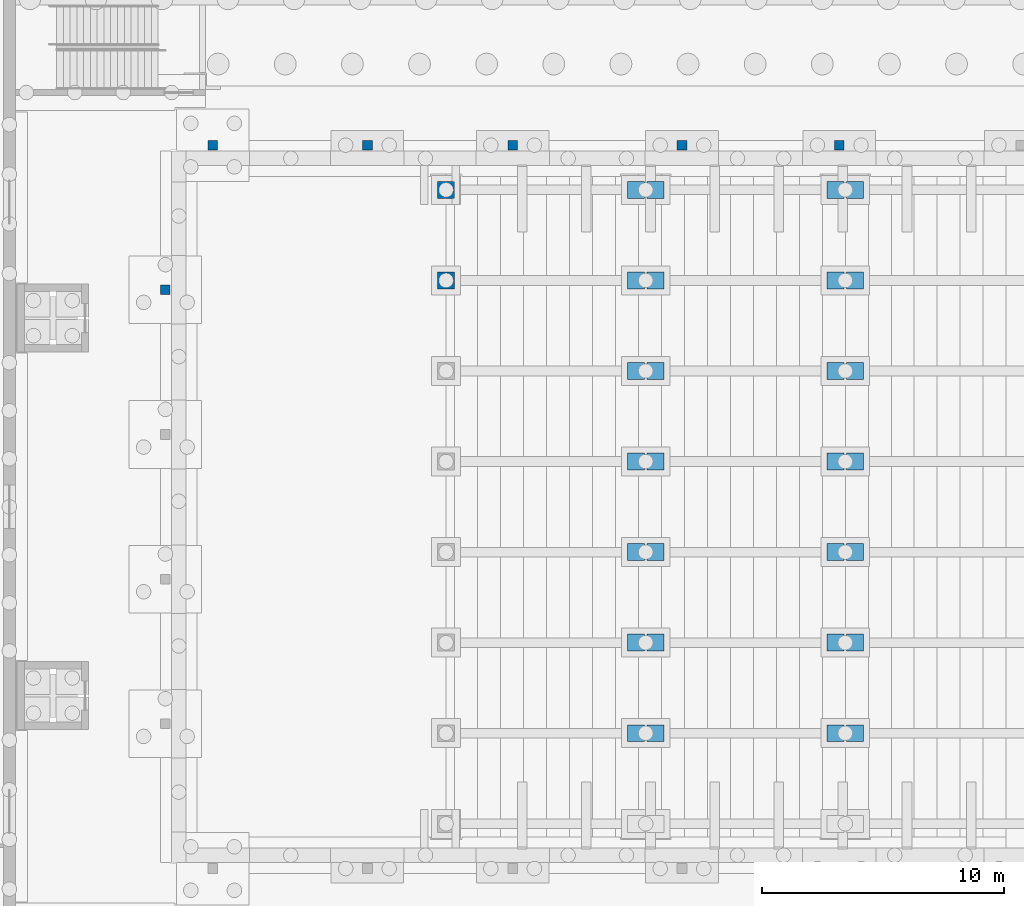
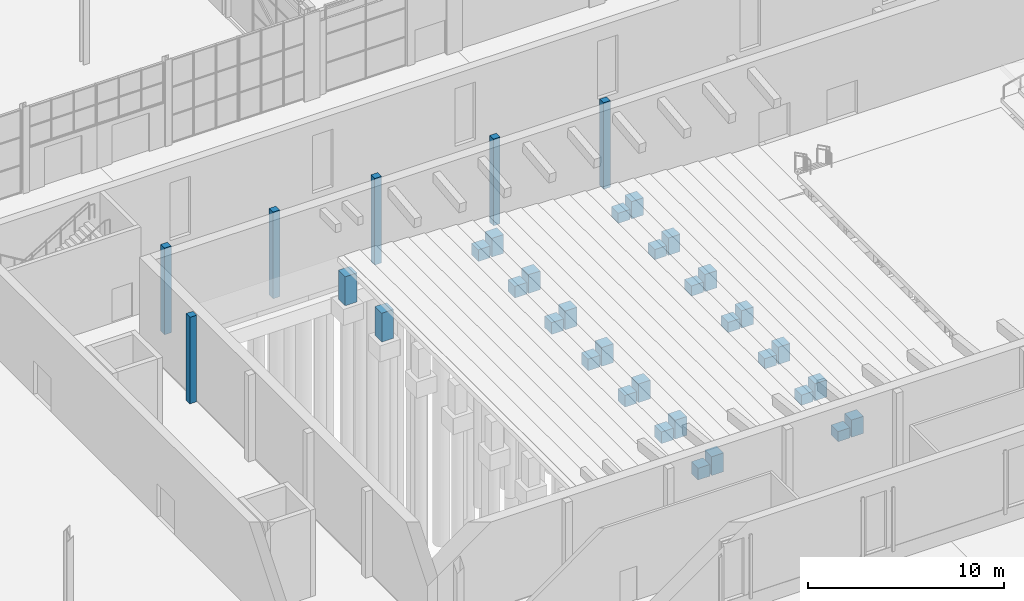
# One storey, part 24 of 127: 36 columns.
"""IFC4 building model written with IfcOpenShell, lengths in metres."""

from ifc_helpers import new_model, si_unit, direction, frame, origin, origin_2d, place, context, subcontext, project, spatial, rectangle, extrude, material, material_profile, profile_set, type_object, element, save


model = new_model("IFC4")

# Units and contexts
model_context = context("Model", 3, precision=1e-05, world=origin(), true_north=direction((0.0, 1.0)))
body_context = subcontext(model_context, "Body", "Model", "MODEL_VIEW")
ifc_project = project(units=[si_unit("LENGTHUNIT", "METRE"), si_unit("AREAUNIT", "SQUARE_METRE"), si_unit("VOLUMEUNIT", "CUBIC_METRE"), si_unit("PLANEANGLEUNIT", "RADIAN"), si_unit("MASSUNIT", "GRAM", prefix="KILO")], contexts=[model_context])

# Site, building, storey
site_placement = place(None, origin())
site = spatial("IfcSite", under=ifc_project, at=site_placement, CompositionType="ELEMENT")
building_placement = place(site_placement, origin())
building = spatial("IfcBuilding", under=site, at=building_placement, Name="Ljudholm Concert House", CompositionType="ELEMENT")
storey_placement = place(building_placement, origin())
storey = spatial("IfcBuildingStorey", under=building, at=storey_placement, Name="L00", CompositionType="ELEMENT", Elevation=0.0)

# Columns
ifc_material_1 = material(Name="Concrete 6,500 psi", Category="concrete")
ifc_material_profile_1 = material_profile(ifc_material_1, rectangle(XDim=0.39990234375, YDim=0.39990234375, at=origin_2d()), Name="RC COLUMN 400x400")
ifc_profile_set_1 = profile_set([ifc_material_profile_1], Name="Concrete 6,500 psi")
column_type_1 = type_object("IfcColumnType", Name="RC COLUMN 400x400", PredefinedType="COLUMN", material=ifc_profile_set_1)
for number, where, z_axis, x_axis, name in (
    (1, (37.60009765625, 90.35009765625, 0.0), (0.0, 0.0, 1.0), (1.0, 0.0, 0.0), "Ring column"),
    (2, (44.0, 90.35009765625, 0.0), (0.0, 0.0, 1.0), (1.0, 0.0, 0.0), "Ring column"),
    (3, (50.0, 90.35009765625, 0.0), (0.0, 0.0, 1.0), (1.0, 0.0, 0.0), "Ring column"),
    (4, (57.0, 90.35009765625, 0.0), (0.0, 0.0, 1.0), (1.0, 0.0, 0.0), "Ring column"),
    (5, (63.5, 90.35009765625, 0.0), (0.0, 0.0, 1.0), (1.0, 0.0, 0.0), "Ring column"),
    (6, (35.64990234375, 84.3701171875, 0.0), (0.0, 0.0, 1.0), (1.0, 0.0, 0.0), "Ring column"),
):
    element("IfcColumn", number, at=place(storey_placement, frame(where, z_axis=z_axis, x_axis=x_axis)), inside=storey, type_object=column_type_1, Name=name, PredefinedType="COLUMN", context=body_context, shape_type="SweptSolid", body=[
        extrude(rectangle(XDim=0.39990234375, YDim=0.39990234375, at=origin_2d()), origin(), (0.0, 0.0, 1.0), 5.39990234375),
    ])
ifc_material_2 = material(Name="Concrete 6,500 psi", Category="concrete")
ifc_material_profile_2 = material_profile(ifc_material_2, rectangle(XDim=0.699951171875, YDim=0.699951171875, at=origin_2d()), Name="RC COLUMN 700x700")
ifc_profile_set_2 = profile_set([ifc_material_profile_2], Name="Concrete 6,500 psi")
column_type_2 = type_object("IfcColumnType", Name="RC COLUMN 700x700", PredefinedType="COLUMN", material=ifc_profile_set_2)
column_1_placement = place(storey_placement, frame((55.10009765625, 66.04296875, -0.300048828125), z_axis=(0.0, 0.0, 1.0), x_axis=(1.0, 0.0, 0.0)))
element("IfcColumn", 7, at=column_1_placement, inside=storey, type_object=column_type_2, Name="Column pedestal", PredefinedType="COLUMN", context=body_context, shape_type="SweptSolid", body=[
    extrude(rectangle(XDim=0.699951171875, YDim=0.699951171875, at=origin_2d()), origin(), (0.0, 0.0, 1.0), 0.729248046875),
])
column_2_placement = place(storey_placement, frame((55.89990234375, 66.04296875, -0.300048828125), z_axis=(0.0, 0.0, 1.0), x_axis=(1.0, 0.0, 0.0)))
element("IfcColumn", 8, at=column_2_placement, inside=storey, type_object=column_type_2, Name="Column pedestal", PredefinedType="COLUMN", context=body_context, shape_type="SweptSolid", body=[
    extrude(rectangle(XDim=0.699951171875, YDim=0.699951171875, at=origin_2d()), origin(), (0.0, 0.0, 1.0), 1.1708984375),
])
column_3_placement = place(storey_placement, frame((63.35009765625, 66.04296875, -0.804931640625), z_axis=(0.0, 0.0, 1.0), x_axis=(1.0, 0.0, 0.0)))
element("IfcColumn", 9, at=column_3_placement, inside=storey, type_object=column_type_2, Name="Column pedestal", PredefinedType="COLUMN", context=body_context, shape_type="SweptSolid", body=[
    extrude(rectangle(XDim=0.699951171875, YDim=0.699951171875, at=origin_2d()), origin(), (0.0, 0.0, 1.0), 0.634033203125),
])
column_4_placement = place(storey_placement, frame((64.14990234375, 66.04296875, -0.804931640625), z_axis=(0.0, 0.0, 1.0), x_axis=(1.0, 0.0, 0.0)))
element("IfcColumn", 10, at=column_4_placement, inside=storey, type_object=column_type_2, Name="Column pedestal", PredefinedType="COLUMN", context=body_context, shape_type="SweptSolid", body=[
    extrude(rectangle(XDim=0.699951171875, YDim=0.699951171875, at=origin_2d()), origin(), (0.0, 0.0, 1.0), 1.075927734375),
])
column_5_placement = place(storey_placement, frame((55.10009765625, 69.78564453125, -0.300048828125), z_axis=(0.0, 0.0, 1.0), x_axis=(1.0, 0.0, 0.0)))
element("IfcColumn", 11, at=column_5_placement, inside=storey, type_object=column_type_2, Name="Column pedestal", PredefinedType="COLUMN", context=body_context, shape_type="SweptSolid", body=[
    extrude(rectangle(XDim=0.699951171875, YDim=0.699951171875, at=origin_2d()), origin(), (0.0, 0.0, 1.0), 0.729248046875),
])
column_6_placement = place(storey_placement, frame((55.89990234375, 69.78564453125, -0.300048828125), z_axis=(0.0, 0.0, 1.0), x_axis=(1.0, 0.0, 0.0)))
element("IfcColumn", 12, at=column_6_placement, inside=storey, type_object=column_type_2, Name="Column pedestal", PredefinedType="COLUMN", context=body_context, shape_type="SweptSolid", body=[
    extrude(rectangle(XDim=0.699951171875, YDim=0.699951171875, at=origin_2d()), origin(), (0.0, 0.0, 1.0), 1.1708984375),
])
column_7_placement = place(storey_placement, frame((63.35009765625, 69.78564453125, -0.804931640625), z_axis=(0.0, 0.0, 1.0), x_axis=(1.0, 0.0, 0.0)))
element("IfcColumn", 13, at=column_7_placement, inside=storey, type_object=column_type_2, Name="Column pedestal", PredefinedType="COLUMN", context=body_context, shape_type="SweptSolid", body=[
    extrude(rectangle(XDim=0.699951171875, YDim=0.699951171875, at=origin_2d()), origin(), (0.0, 0.0, 1.0), 0.634033203125),
])
column_8_placement = place(storey_placement, frame((64.14990234375, 69.78564453125, -0.804931640625), z_axis=(0.0, 0.0, 1.0), x_axis=(1.0, 0.0, 0.0)))
element("IfcColumn", 14, at=column_8_placement, inside=storey, type_object=column_type_2, Name="Column pedestal", PredefinedType="COLUMN", context=body_context, shape_type="SweptSolid", body=[
    extrude(rectangle(XDim=0.699951171875, YDim=0.699951171875, at=origin_2d()), origin(), (0.0, 0.0, 1.0), 1.075927734375),
])
column_9_placement = place(storey_placement, frame((55.10009765625, 73.528564453125, -0.300048828125), z_axis=(0.0, 0.0, 1.0), x_axis=(1.0, 0.0, 0.0)))
element("IfcColumn", 15, at=column_9_placement, inside=storey, type_object=column_type_2, Name="Column pedestal", PredefinedType="COLUMN", context=body_context, shape_type="SweptSolid", body=[
    extrude(rectangle(XDim=0.699951171875, YDim=0.699951171875, at=origin_2d()), origin(), (0.0, 0.0, 1.0), 0.729248046875),
])
column_10_placement = place(storey_placement, frame((55.89990234375, 73.528564453125, -0.300048828125), z_axis=(0.0, 0.0, 1.0), x_axis=(1.0, 0.0, 0.0)))
element("IfcColumn", 16, at=column_10_placement, inside=storey, type_object=column_type_2, Name="Column pedestal", PredefinedType="COLUMN", context=body_context, shape_type="SweptSolid", body=[
    extrude(rectangle(XDim=0.699951171875, YDim=0.699951171875, at=origin_2d()), origin(), (0.0, 0.0, 1.0), 1.1708984375),
])
column_11_placement = place(storey_placement, frame((63.35009765625, 73.528564453125, -0.804931640625), z_axis=(0.0, 0.0, 1.0), x_axis=(1.0, 0.0, 0.0)))
element("IfcColumn", 17, at=column_11_placement, inside=storey, type_object=column_type_2, Name="Column pedestal", PredefinedType="COLUMN", context=body_context, shape_type="SweptSolid", body=[
    extrude(rectangle(XDim=0.699951171875, YDim=0.699951171875, at=origin_2d()), origin(), (0.0, 0.0, 1.0), 0.634033203125),
])
column_12_placement = place(storey_placement, frame((64.14990234375, 73.528564453125, -0.804931640625), z_axis=(0.0, 0.0, 1.0), x_axis=(1.0, 0.0, 0.0)))
element("IfcColumn", 18, at=column_12_placement, inside=storey, type_object=column_type_2, Name="Column pedestal", PredefinedType="COLUMN", context=body_context, shape_type="SweptSolid", body=[
    extrude(rectangle(XDim=0.699951171875, YDim=0.699951171875, at=origin_2d()), origin(), (0.0, 0.0, 1.0), 1.075927734375),
])
column_13_placement = place(storey_placement, frame((55.10009765625, 77.271484375, -0.300048828125), z_axis=(0.0, 0.0, 1.0), x_axis=(1.0, 0.0, 0.0)))
element("IfcColumn", 19, at=column_13_placement, inside=storey, type_object=column_type_2, Name="Column pedestal", PredefinedType="COLUMN", context=body_context, shape_type="SweptSolid", body=[
    extrude(rectangle(XDim=0.699951171875, YDim=0.699951171875, at=origin_2d()), origin(), (0.0, 0.0, 1.0), 0.729248046875),
])
column_14_placement = place(storey_placement, frame((55.89990234375, 77.271484375, -0.300048828125), z_axis=(0.0, 0.0, 1.0), x_axis=(1.0, 0.0, 0.0)))
element("IfcColumn", 20, at=column_14_placement, inside=storey, type_object=column_type_2, Name="Column pedestal", PredefinedType="COLUMN", context=body_context, shape_type="SweptSolid", body=[
    extrude(rectangle(XDim=0.699951171875, YDim=0.699951171875, at=origin_2d()), origin(), (0.0, 0.0, 1.0), 1.1708984375),
])
column_15_placement = place(storey_placement, frame((63.35009765625, 77.271484375, -0.804931640625), z_axis=(0.0, 0.0, 1.0), x_axis=(1.0, 0.0, 0.0)))
element("IfcColumn", 21, at=column_15_placement, inside=storey, type_object=column_type_2, Name="Column pedestal", PredefinedType="COLUMN", context=body_context, shape_type="SweptSolid", body=[
    extrude(rectangle(XDim=0.699951171875, YDim=0.699951171875, at=origin_2d()), origin(), (0.0, 0.0, 1.0), 0.634033203125),
])
column_16_placement = place(storey_placement, frame((64.14990234375, 77.271484375, -0.804931640625), z_axis=(0.0, 0.0, 1.0), x_axis=(1.0, 0.0, 0.0)))
element("IfcColumn", 22, at=column_16_placement, inside=storey, type_object=column_type_2, Name="Column pedestal", PredefinedType="COLUMN", context=body_context, shape_type="SweptSolid", body=[
    extrude(rectangle(XDim=0.699951171875, YDim=0.699951171875, at=origin_2d()), origin(), (0.0, 0.0, 1.0), 1.075927734375),
])
column_17_placement = place(storey_placement, frame((55.10009765625, 81.014404296875, -0.300048828125), z_axis=(0.0, 0.0, 1.0), x_axis=(1.0, 0.0, 0.0)))
element("IfcColumn", 23, at=column_17_placement, inside=storey, type_object=column_type_2, Name="Column pedestal", PredefinedType="COLUMN", context=body_context, shape_type="SweptSolid", body=[
    extrude(rectangle(XDim=0.699951171875, YDim=0.699951171875, at=origin_2d()), origin(), (0.0, 0.0, 1.0), 0.729248046875),
])
column_18_placement = place(storey_placement, frame((55.89990234375, 81.014404296875, -0.300048828125), z_axis=(0.0, 0.0, 1.0), x_axis=(1.0, 0.0, 0.0)))
element("IfcColumn", 24, at=column_18_placement, inside=storey, type_object=column_type_2, Name="Column pedestal", PredefinedType="COLUMN", context=body_context, shape_type="SweptSolid", body=[
    extrude(rectangle(XDim=0.699951171875, YDim=0.699951171875, at=origin_2d()), origin(), (0.0, 0.0, 1.0), 1.1708984375),
])
column_19_placement = place(storey_placement, frame((63.35009765625, 81.014404296875, -0.804931640625), z_axis=(0.0, 0.0, 1.0), x_axis=(1.0, 0.0, 0.0)))
element("IfcColumn", 25, at=column_19_placement, inside=storey, type_object=column_type_2, Name="Column pedestal", PredefinedType="COLUMN", context=body_context, shape_type="SweptSolid", body=[
    extrude(rectangle(XDim=0.699951171875, YDim=0.699951171875, at=origin_2d()), origin(), (0.0, 0.0, 1.0), 0.634033203125),
])
column_20_placement = place(storey_placement, frame((64.14990234375, 81.014404296875, -0.804931640625), z_axis=(0.0, 0.0, 1.0), x_axis=(1.0, 0.0, 0.0)))
element("IfcColumn", 26, at=column_20_placement, inside=storey, type_object=column_type_2, Name="Column pedestal", PredefinedType="COLUMN", context=body_context, shape_type="SweptSolid", body=[
    extrude(rectangle(XDim=0.699951171875, YDim=0.699951171875, at=origin_2d()), origin(), (0.0, 0.0, 1.0), 1.075927734375),
])
column_21_placement = place(storey_placement, frame((47.25, 84.757080078125, -0.300048828125), z_axis=(0.0, 0.0, 1.0), x_axis=(1.0, 0.0, 0.0)))
element("IfcColumn", 27, at=column_21_placement, inside=storey, type_object=column_type_2, Name="Column pedestal", PredefinedType="COLUMN", context=body_context, shape_type="SweptSolid", body=[
    extrude(rectangle(XDim=0.699951171875, YDim=0.699951171875, at=origin_2d()), origin(), (0.0, 0.0, 1.0), 1.800048828125),
])
column_22_placement = place(storey_placement, frame((55.10009765625, 84.757080078125, -0.300048828125), z_axis=(0.0, 0.0, 1.0), x_axis=(1.0, 0.0, 0.0)))
element("IfcColumn", 28, at=column_22_placement, inside=storey, type_object=column_type_2, Name="Column pedestal", PredefinedType="COLUMN", context=body_context, shape_type="SweptSolid", body=[
    extrude(rectangle(XDim=0.699951171875, YDim=0.699951171875, at=origin_2d()), origin(), (0.0, 0.0, 1.0), 0.729248046875),
])
column_23_placement = place(storey_placement, frame((55.89990234375, 84.757080078125, -0.300048828125), z_axis=(0.0, 0.0, 1.0), x_axis=(1.0, 0.0, 0.0)))
element("IfcColumn", 29, at=column_23_placement, inside=storey, type_object=column_type_2, Name="Column pedestal", PredefinedType="COLUMN", context=body_context, shape_type="SweptSolid", body=[
    extrude(rectangle(XDim=0.699951171875, YDim=0.699951171875, at=origin_2d()), origin(), (0.0, 0.0, 1.0), 1.1708984375),
])
column_24_placement = place(storey_placement, frame((63.35009765625, 84.757080078125, -0.804931640625), z_axis=(0.0, 0.0, 1.0), x_axis=(1.0, 0.0, 0.0)))
element("IfcColumn", 30, at=column_24_placement, inside=storey, type_object=column_type_2, Name="Column pedestal", PredefinedType="COLUMN", context=body_context, shape_type="SweptSolid", body=[
    extrude(rectangle(XDim=0.699951171875, YDim=0.699951171875, at=origin_2d()), origin(), (0.0, 0.0, 1.0), 0.634033203125),
])
column_25_placement = place(storey_placement, frame((64.14990234375, 84.757080078125, -0.804931640625), z_axis=(0.0, 0.0, 1.0), x_axis=(1.0, 0.0, 0.0)))
element("IfcColumn", 31, at=column_25_placement, inside=storey, type_object=column_type_2, Name="Column pedestal", PredefinedType="COLUMN", context=body_context, shape_type="SweptSolid", body=[
    extrude(rectangle(XDim=0.699951171875, YDim=0.699951171875, at=origin_2d()), origin(), (0.0, 0.0, 1.0), 1.075927734375),
])
column_26_placement = place(storey_placement, frame((47.25, 88.5, -0.300048828125), z_axis=(0.0, 0.0, 1.0), x_axis=(1.0, 0.0, 0.0)))
element("IfcColumn", 32, at=column_26_placement, inside=storey, type_object=column_type_2, Name="Column pedestal", PredefinedType="COLUMN", context=body_context, shape_type="SweptSolid", body=[
    extrude(rectangle(XDim=0.699951171875, YDim=0.699951171875, at=origin_2d()), origin(), (0.0, 0.0, 1.0), 1.800048828125),
])
column_27_placement = place(storey_placement, frame((55.10009765625, 88.5, -0.300048828125), z_axis=(0.0, 0.0, 1.0), x_axis=(1.0, 0.0, 0.0)))
element("IfcColumn", 33, at=column_27_placement, inside=storey, type_object=column_type_2, Name="Column pedestal", PredefinedType="COLUMN", context=body_context, shape_type="SweptSolid", body=[
    extrude(rectangle(XDim=0.699951171875, YDim=0.699951171875, at=origin_2d()), origin(), (0.0, 0.0, 1.0), 0.729248046875),
])
column_28_placement = place(storey_placement, frame((55.89990234375, 88.5, -0.300048828125), z_axis=(0.0, 0.0, 1.0), x_axis=(1.0, 0.0, 0.0)))
element("IfcColumn", 34, at=column_28_placement, inside=storey, type_object=column_type_2, Name="Column pedestal", PredefinedType="COLUMN", context=body_context, shape_type="SweptSolid", body=[
    extrude(rectangle(XDim=0.699951171875, YDim=0.699951171875, at=origin_2d()), origin(), (0.0, 0.0, 1.0), 1.1708984375),
])
column_29_placement = place(storey_placement, frame((63.35009765625, 88.5, -0.804931640625), z_axis=(0.0, 0.0, 1.0), x_axis=(1.0, 0.0, 0.0)))
element("IfcColumn", 35, at=column_29_placement, inside=storey, type_object=column_type_2, Name="Column pedestal", PredefinedType="COLUMN", context=body_context, shape_type="SweptSolid", body=[
    extrude(rectangle(XDim=0.699951171875, YDim=0.699951171875, at=origin_2d()), origin(), (0.0, 0.0, 1.0), 0.634033203125),
])
column_30_placement = place(storey_placement, frame((64.14990234375, 88.5, -0.804931640625), z_axis=(0.0, 0.0, 1.0), x_axis=(1.0, 0.0, 0.0)))
element("IfcColumn", 36, at=column_30_placement, inside=storey, type_object=column_type_2, Name="Column pedestal", PredefinedType="COLUMN", context=body_context, shape_type="SweptSolid", body=[
    extrude(rectangle(XDim=0.699951171875, YDim=0.699951171875, at=origin_2d()), origin(), (0.0, 0.0, 1.0), 1.075927734375),
])

save(model, "model.ifc")
